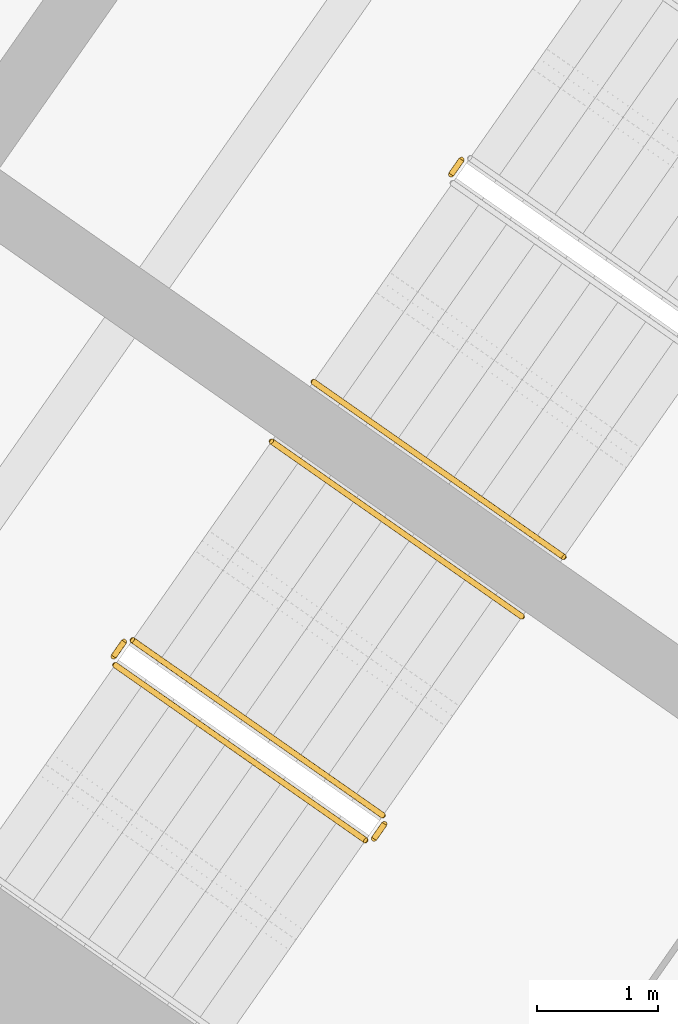
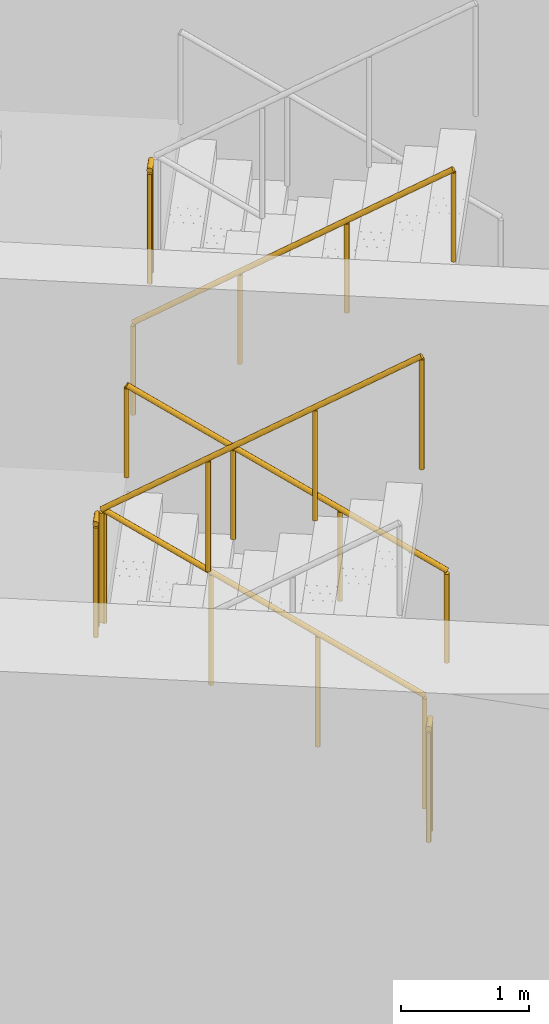
# One storey, part 21 of 23: 7 railings.
"""IFC4 building model written with IfcOpenShell, lengths in metres."""

import ifcopenshell
import ifcopenshell.guid

model = None  # the IFC model being written
_history = None  # IfcOwnerHistory: only IFC2X3 demands one
_inside = {}  # id of a spatial element -> (the spatial element, [elements in it])
_under = {}  # id of a project, library or spatial element -> (it, [spatial elements below it])
_declared = {}  # id of a project -> (the project, [libraries it declares])
_typed = {}  # id of a type object -> (the type object, [elements of that type])
_made_of = {}  # id of a material, layer set ... -> (it, [elements and type objects made of it])


def new_model(schema):
    """Start an empty IFC model of exactly this schema.

    Asked for "IFC4X3", IfcOpenShell would pick the latest addendum, in which some entities
    have other attributes; the version numbers below select the first issue.
    IFC2X3 requires an IfcOwnerHistory on every rooted entity: one is made here for all.
    """
    global model, _history
    if schema == "IFC4X3":
        model = ifcopenshell.file(schema_version=(4, 3, 0, 0))
    else:
        model = ifcopenshell.file(schema=schema)
    _inside.clear()
    _under.clear()
    _declared.clear()
    _typed.clear()
    _made_of.clear()
    _history = None
    if model.schema == "IFC2X3":
        org = make("IfcOrganization", Name="unknown")
        user = make(
            "IfcPersonAndOrganization",
            ThePerson=make("IfcPerson", FamilyName="unknown"),
            TheOrganization=org,
        )
        app = make(
            "IfcApplication",
            ApplicationDeveloper=org,
            Version="unknown",
            ApplicationFullName="unknown",
            ApplicationIdentifier="unknown",
        )
        _history = make(
            "IfcOwnerHistory",
            OwningUser=user,
            OwningApplication=app,
            ChangeAction="ADDED",
            CreationDate=0,
        )
    return model


def make(cls, **values):
    """One entity of the class cls with the attributes given. An attribute that is None is left unset."""
    return model.create_entity(
        cls, **{name: value for name, value in values.items() if value is not None}
    )


def rooted(cls, **values):
    """An entity with a GlobalId (a new one), such as an element, a storey or a relation."""
    return make(cls, GlobalId=ifcopenshell.guid.new(), OwnerHistory=_history, **values)


def si_unit(unit_type, name, prefix=None):
    """IfcSIUnit, for example si_unit("LENGTHUNIT", "METRE", prefix="MILLI")."""
    return make("IfcSIUnit", UnitType=unit_type, Prefix=prefix, Name=name)


def assignment(units):
    """IfcUnitAssignment: the units of a project."""
    return None if units is None else make("IfcUnitAssignment", Units=units)


def point(xyz):
    """IfcCartesianPoint."""
    return None if xyz is None else make("IfcCartesianPoint", Coordinates=xyz)


def direction(xyz):
    """IfcDirection."""
    return None if xyz is None else make("IfcDirection", DirectionRatios=xyz)


def frame(location, z_axis=None, x_axis=None):
    """IfcAxis2Placement3D, a coordinate frame: its origin and axes. An axis left out is left unset."""
    return make(
        "IfcAxis2Placement3D",
        Location=point(location),
        Axis=direction(z_axis),
        RefDirection=direction(x_axis),
    )


def frame_2d(location, x_axis=None):
    """IfcAxis2Placement2D, a coordinate frame in the plane: its origin and x axis."""
    return make(
        "IfcAxis2Placement2D", Location=point(location), RefDirection=direction(x_axis)
    )


def origin():
    """The frame at (0, 0, 0) with its axes left unset."""
    return frame((0.0, 0.0, 0.0))


def origin_2d():
    """The frame at (0, 0) in the plane with its x axis left unset."""
    return frame_2d((0.0, 0.0))


def place(relative_to, where):
    """IfcLocalPlacement: puts the frame where relative to a parent placement (None: the world)."""
    return make(
        "IfcLocalPlacement", PlacementRelTo=relative_to, RelativePlacement=where
    )


def context(
    kind, dimensions, precision=None, world=None, true_north=None, identifier=None
):
    """IfcGeometricRepresentationContext, for example the 3D "Model" context."""
    return make(
        "IfcGeometricRepresentationContext",
        ContextIdentifier=identifier,
        ContextType=kind,
        CoordinateSpaceDimension=dimensions,
        Precision=precision,
        WorldCoordinateSystem=world,
        TrueNorth=true_north,
    )


def subcontext(parent, identifier, kind, view, scale=None):
    """IfcGeometricRepresentationSubContext, for example "Body" below "Model"."""
    return make(
        "IfcGeometricRepresentationSubContext",
        ContextIdentifier=identifier,
        ContextType=kind,
        ParentContext=parent,
        TargetScale=scale,
        TargetView=view,
    )


def project(units=None, contexts=None):
    """IfcProject with its units and contexts."""
    return rooted(
        "IfcProject",
        Name="project",
        RepresentationContexts=contexts,
        UnitsInContext=assignment(units),
    )


def spatial(cls, under=None, at=None, **own):
    """A site, building, storey or space (cls), placed at a placement, below another one or the project."""
    s = rooted(cls, ObjectPlacement=at, **own)
    if under is not None:
        _under.setdefault(under.id(), (under, []))[1].append(s)
    return s


def profile(cls, at=None, kind="AREA", **sizes):
    """A parametric profile (cls). Its sizes go by their IFC names, for example OverallWidth=200.0."""
    return make(cls, ProfileType=kind, Position=at, **sizes)


def circle(**sizes):
    """IfcCircleProfileDef."""
    return profile("IfcCircleProfileDef", **sizes)


def extrude(swept, where, along, depth):
    """IfcExtrudedAreaSolid: the profile swept, set in the frame where, extruded along a direction by depth."""
    return make(
        "IfcExtrudedAreaSolid",
        SweptArea=swept,
        Position=where,
        ExtrudedDirection=direction(along),
        Depth=depth,
    )


def shape(context_of_items, identifier, shape_type, items):
    """IfcShapeRepresentation: the items that make up one representation, for example the "Body"."""
    return make(
        "IfcShapeRepresentation",
        ContextOfItems=context_of_items,
        RepresentationIdentifier=identifier,
        RepresentationType=shape_type,
        Items=items,
    )


def material(Name=None, Category=None):
    """IfcMaterial."""
    return make("IfcMaterial", Name=Name, Category=Category)


def made_of(thing, what):
    """Note that an element or type object is made of a material, layer set ...; save() writes the relation."""
    if what is not None:
        _made_of.setdefault(what.id(), (what, []))[1].append(thing)
    return thing


def type_object(cls, material=None, **own):
    """A type object (cls), such as IfcWallType, which elements share."""
    return made_of(rooted(cls, **own), material)


def element(
    cls,
    number,
    at=None,
    inside=None,
    cuts=None,
    type_object=None,
    material=None,
    context=None,
    identifier="Body",
    shape_type=None,
    held_by="IfcProductDefinitionShape",
    body=None,
    shapes=None,
    **own,
):
    """One element of the class cls, such as IfcWall. Its Tag is "e" and its number.

    at: its placement. inside: the storey or other place that contains it. cuts: it is an
    opening in that element (IfcRelVoidsElement). A single representation is given by context,
    identifier, shape_type and body (its items); several are given by shapes. held_by: the class
    of the entity that holds the representations. save() writes the other relations.
    """
    e = rooted(cls, Tag="e%d" % number, ObjectPlacement=at, **own)
    if body is not None:
        shapes = [shape(context, identifier, shape_type, body)]
    if shapes is not None:
        e.Representation = make(held_by, Representations=shapes)
    if inside is not None:
        _inside.setdefault(inside.id(), (inside, []))[1].append(e)
    if cuts is not None:
        rooted(
            "IfcRelVoidsElement", RelatingBuildingElement=cuts, RelatedOpeningElement=e
        )
    if type_object is not None:
        _typed.setdefault(type_object.id(), (type_object, []))[1].append(e)
    return made_of(e, material)


def aggregate(whole, parts):
    """IfcRelAggregates: a whole, such as a stair, and the parts it consists of."""
    return rooted("IfcRelAggregates", RelatingObject=whole, RelatedObjects=parts)


def save(model, path):
    """Write the relations noted so far, then the file.

    IfcRelAggregates (storeys below a building ...), IfcRelContainedInSpatialStructure (elements
    in a storey), IfcRelDefinesByType, IfcRelAssociatesMaterial and IfcRelDeclares: one each for
    every whole, place, type object, material and project.
    """
    for whole, parts in _under.values():
        aggregate(whole, parts)
    for where, things in _inside.values():
        rooted(
            "IfcRelContainedInSpatialStructure",
            RelatedElements=things,
            RelatingStructure=where,
        )
    for kind, things in _typed.values():
        rooted("IfcRelDefinesByType", RelatedObjects=things, RelatingType=kind)
    for what, things in _made_of.values():
        rooted("IfcRelAssociatesMaterial", RelatedObjects=things, RelatingMaterial=what)
    for by, libraries in _declared.values():
        rooted("IfcRelDeclares", RelatingContext=by, RelatedDefinitions=libraries)
    model.write(path)


model = new_model("IFC4")

# Units and contexts
model_context = context("Model", 3, precision=1e-05, world=origin(), true_north=direction((0.0, 1.0)))
body_context = subcontext(model_context, "Body", "Model", "MODEL_VIEW")
ifc_project = project(units=[si_unit("LENGTHUNIT", "METRE"), si_unit("AREAUNIT", "SQUARE_METRE"), si_unit("VOLUMEUNIT", "CUBIC_METRE"), si_unit("PLANEANGLEUNIT", "RADIAN"), si_unit("MASSUNIT", "GRAM", prefix="KILO")], contexts=[model_context])

# Site, building, storey
site_placement = place(None, origin())
site = spatial("IfcSite", under=ifc_project, at=site_placement, CompositionType="ELEMENT")
building_placement = place(site_placement, origin())
building = spatial("IfcBuilding", under=site, at=building_placement, Name="Tel Ilan Convention Tower", CompositionType="ELEMENT")
storey_placement = place(building_placement, frame((0.0, 0.0, 108.5)))
storey = spatial("IfcBuildingStorey", under=building, at=storey_placement, Name="L23", CompositionType="ELEMENT", Elevation=108.5)

# Railings
ifc_material_1 = material(Name="Stainless Steel Grade 316", Category="steel")
railing_type_1 = type_object("IfcRailingType", Name="Stainless Steel Stair Guard 1100 mm", PredefinedType="GUARDRAIL", material=ifc_material_1)
railing_1_placement = place(storey_placement, frame((21.544921875, -6.41845703125, 1.800048828125)))
element("IfcRailing", 1, at=railing_1_placement, inside=storey, type_object=railing_type_1, Name="L23 S3 stair guard 2", PredefinedType="GUARDRAIL", context=body_context, shape_type="SweptSolid", body=[
    extrude(circle(Radius=0.02392578125, at=origin_2d()), frame((0.0, 0.0, 1.076171875), z_axis=(-0.573353020881, -0.819308436089, 0.0), x_axis=(0.819308436089, -0.573353020881, 0.0)), (0.0, 0.0, 1.0), 0.14990234375),
    extrude(circle(Radius=0.02099609375, at=origin_2d()), origin(), (0.0, 0.0, 1.0), 1.052001953125),
    extrude(circle(Radius=0.02099609375, at=origin_2d()), frame((-0.0859375, -0.122802734375, 0.0)), (0.0, 0.0, 1.0), 1.052001953125),
])
railing_2_placement = place(storey_placement, frame((20.89697265625, -11.824462890625, 0.179931640625)))
element("IfcRailing", 2, at=railing_2_placement, inside=storey, type_object=railing_type_1, Name="L23 S4 stair guard 1", PredefinedType="GUARDRAIL", context=body_context, shape_type="SweptSolid", body=[
    extrude(circle(Radius=0.02392578125, at=origin_2d()), frame((0.0, 0.0, 1.076171875), z_axis=(-0.689013013563, 0.482512838948, 0.540779462804), x_axis=(-0.573624882958, -0.819118119475, 0.0)), (0.0, 0.0, 1.0), 2.995849609375),
    extrude(circle(Radius=0.02099609375, at=origin_2d()), origin(), (0.0, 0.0, 1.0), 1.052001953125),
    extrude(circle(Radius=0.02099609375, at=origin_2d()), frame((-0.68798828125, 0.48193359375, 0.5400390625)), (0.0, 0.0, 1.0), 1.052001953125),
    extrude(circle(Radius=0.02099609375, at=origin_2d()), frame((-1.376220703125, 0.963623046875, 1.080078125)), (0.0, 0.0, 1.0), 1.052001953125),
    extrude(circle(Radius=0.02099609375, at=origin_2d()), frame((-2.064208984375, 1.445556640625, 1.6201171875)), (0.0, 0.0, 1.0), 1.052001953125),
])
railing_3_placement = place(storey_placement, frame((18.762939453125, -10.391357421875, 1.800048828125)))
element("IfcRailing", 3, at=railing_3_placement, inside=storey, type_object=railing_type_1, Name="L23 S4 stair guard 2", PredefinedType="GUARDRAIL", context=body_context, shape_type="SweptSolid", body=[
    extrude(circle(Radius=0.02392578125, at=origin_2d()), frame((0.0, 0.0, 1.076171875), z_axis=(-0.573353020881, -0.819308436089, 0.0), x_axis=(0.819308436089, -0.573353020881, 0.0)), (0.0, 0.0, 1.0), 0.14990234375),
    extrude(circle(Radius=0.02099609375, at=origin_2d()), origin(), (0.0, 0.0, 1.0), 1.052001953125),
    extrude(circle(Radius=0.02099609375, at=origin_2d()), frame((-0.0859375, -0.122802734375, 0.0)), (0.0, 0.0, 1.0), 1.052001953125),
])
railing_4_placement = place(storey_placement, frame((18.689208984375, -10.583740234375, 1.97998046875)))
element("IfcRailing", 4, at=railing_4_placement, inside=storey, type_object=railing_type_1, Name="L23 S4 stair guard 3", PredefinedType="GUARDRAIL", context=body_context, shape_type="SweptSolid", body=[
    extrude(circle(Radius=0.02392578125, at=origin_2d()), frame((0.0, 0.0, 1.076171875), z_axis=(0.689055814419, -0.482485747064, 0.540749099395), x_axis=(0.573579365141, 0.81914999352, 0.0)), (0.0, 0.0, 1.0), 2.99609375),
    extrude(circle(Radius=0.02099609375, at=origin_2d()), origin(), (0.0, 0.0, 1.0), 1.052001953125),
    extrude(circle(Radius=0.02099609375, at=origin_2d()), frame((0.688232421875, -0.48193359375, 0.5400390625)), (0.0, 0.0, 1.0), 1.052001953125),
    extrude(circle(Radius=0.02099609375, at=origin_2d()), frame((1.376220703125, -0.963623046875, 1.080078125)), (0.0, 0.0, 1.0), 1.052001953125),
    extrude(circle(Radius=0.02099609375, at=origin_2d()), frame((2.064453125, -1.445556640625, 1.6201171875)), (0.0, 0.0, 1.0), 1.052001953125),
])
railing_5_placement = place(storey_placement, frame((20.9091796875, -11.89404296875, 0.0)))
element("IfcRailing", 5, at=railing_5_placement, inside=storey, type_object=railing_type_1, Name="L23 S4 stair guard 4", PredefinedType="GUARDRAIL", context=body_context, shape_type="SweptSolid", body=[
    extrude(circle(Radius=0.02392578125, at=origin_2d()), frame((0.0, 0.0, 1.076171875), z_axis=(-0.573353020881, -0.819308436089, 0.0), x_axis=(0.819308436089, -0.573353020881, 0.0)), (0.0, 0.0, 1.0), 0.14990234375),
    extrude(circle(Radius=0.02099609375, at=origin_2d()), origin(), (0.0, 0.0, 1.0), 1.052001953125),
    extrude(circle(Radius=0.02099609375, at=origin_2d()), frame((-0.0859375, -0.122802734375, 0.0)), (0.0, 0.0, 1.0), 1.052001953125),
])
ifc_material_2 = material(Name="Stainless Steel Grade 316", Category="steel")
railing_type_2 = type_object("IfcRailingType", Name="Stainless Steel Stair Handrail 900 mm", PredefinedType="HANDRAIL", material=ifc_material_2)
railing_6_placement = place(storey_placement, frame((20.323974609375, -8.249267578125, 1.97998046875)))
element("IfcRailing", 6, at=railing_6_placement, inside=storey, type_object=railing_type_2, Name="L23 S3 stair handrail 2", PredefinedType="HANDRAIL", context=body_context, shape_type="SweptSolid", body=[
    extrude(circle(Radius=0.02392578125, at=origin_2d()), frame((0.0, 0.0, 0.8759765625), z_axis=(0.689040105437, -0.482450316285, 0.54080072616), x_axis=(0.573559875649, 0.819163639968, 0.0)), (0.0, 0.0, 1.0), 2.995849609375),
    extrude(circle(Radius=0.02099609375, at=origin_2d()), origin(), (0.0, 0.0, 1.0), 0.851806640625),
    extrude(circle(Radius=0.02099609375, at=origin_2d()), frame((0.68798828125, -0.481689453125, 0.5400390625)), (0.0, 0.0, 1.0), 0.851806640625),
    extrude(circle(Radius=0.02099609375, at=origin_2d()), frame((1.376220703125, -0.963623046875, 1.080078125)), (0.0, 0.0, 1.0), 0.851806640625),
    extrude(circle(Radius=0.02099609375, at=origin_2d()), frame((2.064208984375, -1.4453125, 1.6201171875)), (0.0, 0.0, 1.0), 0.851806640625),
])
railing_7_placement = place(storey_placement, frame((22.044189453125, -10.18603515625, 0.179931640625)))
element("IfcRailing", 7, at=railing_7_placement, inside=storey, type_object=railing_type_2, Name="L23 S4 stair handrail 1", PredefinedType="HANDRAIL", context=body_context, shape_type="SweptSolid", body=[
    extrude(circle(Radius=0.02392578125, at=origin_2d()), frame((0.0, 0.0, 0.8759765625), z_axis=(-0.689082904933, 0.482423225781, 0.540770359169), x_axis=(-0.573514357932, -0.81919550856, 0.0)), (0.0, 0.0, 1.0), 2.995849609375),
    extrude(circle(Radius=0.02099609375, at=origin_2d()), origin(), (0.0, 0.0, 1.0), 0.851806640625),
    extrude(circle(Radius=0.02099609375, at=origin_2d()), frame((-0.688232421875, 0.481689453125, 0.5400390625)), (0.0, 0.0, 1.0), 0.851806640625),
    extrude(circle(Radius=0.02099609375, at=origin_2d()), frame((-1.376220703125, 0.963623046875, 1.080078125)), (0.0, 0.0, 1.0), 0.851806640625),
    extrude(circle(Radius=0.02099609375, at=origin_2d()), frame((-2.064453125, 1.4453125, 1.6201171875)), (0.0, 0.0, 1.0), 0.851806640625),
])

save(model, "model.ifc")
